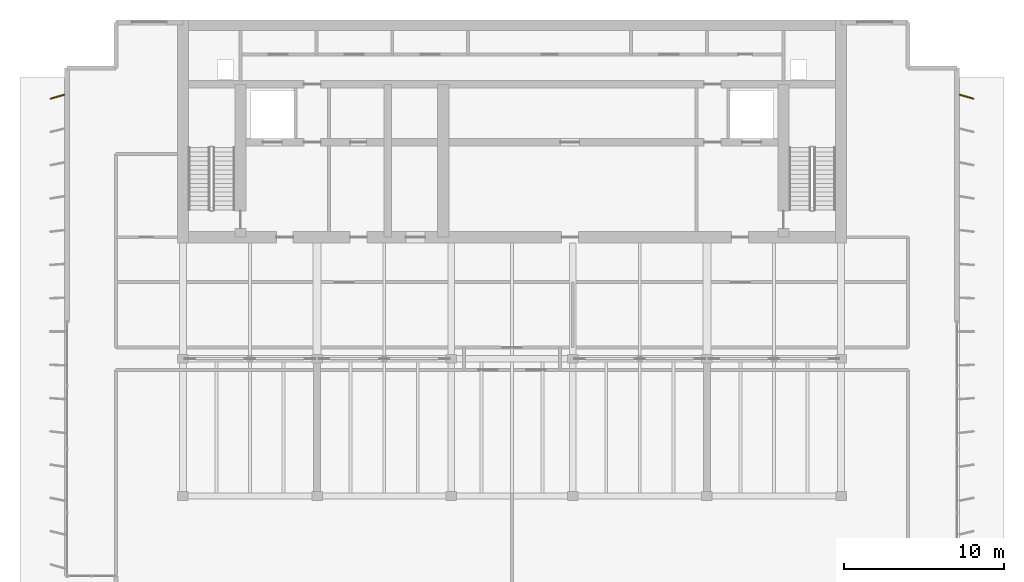
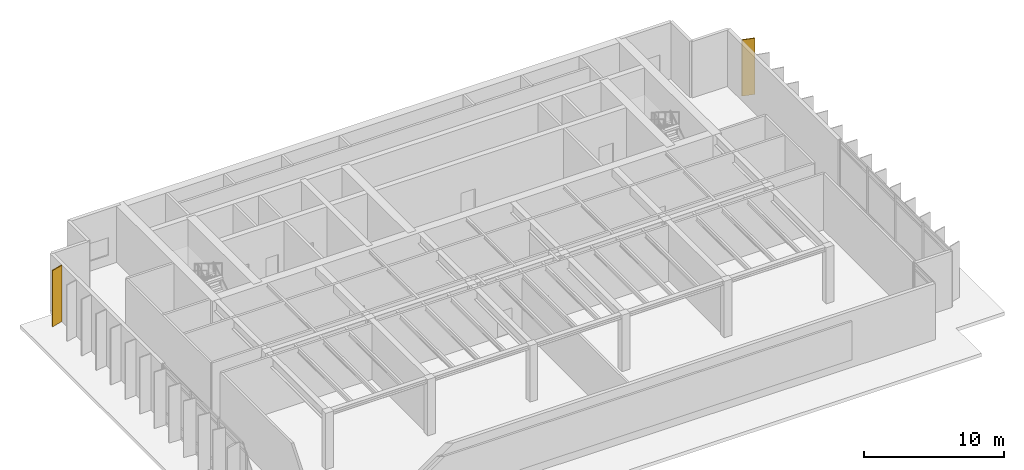
# One storey, part 12 of 12: 2 shading devices.
"""IFC4 building model written with IfcOpenShell, lengths in metres."""

from ifc_helpers import new_model, si_unit, direction, frame, origin, origin_2d, place, context, subcontext, project, spatial, rectangle, extrude, material, material_profile, profile_set, type_object, element, save


model = new_model("IFC4")

# Units and contexts
model_context = context("Model", 3, precision=1e-05, world=origin(), true_north=direction((0.0, 1.0)))
body_context = subcontext(model_context, "Body", "Model", "MODEL_VIEW")
ifc_project = project(units=[si_unit("LENGTHUNIT", "METRE"), si_unit("AREAUNIT", "SQUARE_METRE"), si_unit("VOLUMEUNIT", "CUBIC_METRE"), si_unit("PLANEANGLEUNIT", "RADIAN"), si_unit("MASSUNIT", "GRAM", prefix="KILO")], contexts=[model_context])

# Site, building, storey
site_placement = place(None, origin())
site = spatial("IfcSite", under=ifc_project, at=site_placement, CompositionType="ELEMENT")
building_placement = place(site_placement, origin())
building = spatial("IfcBuilding", under=site, at=building_placement, Name="Caelmar Bay Residences", CompositionType="ELEMENT")
storey_placement = place(building_placement, frame((0.0, 0.0, 274.199951171875)))
storey = spatial("IfcBuildingStorey", under=building, at=storey_placement, Name="L77", CompositionType="ELEMENT", Elevation=274.199951171875)

# Shading devices
ifc_material = material(Name="Anodised architectural bronze aluminium 6063-T6", Category="aluminium")
ifc_material_profile = material_profile(ifc_material, rectangle(XDim=0.074951171875, YDim=0.949951171875, at=origin_2d()), Name="BRONZE-FIN-75X950")
ifc_profile_set = profile_set([ifc_material_profile], Name="Anodised architectural bronze aluminium 6063-T6")
shading_device_type = type_object("IfcShadingDeviceType", Name="SHD-FIN-950", PredefinedType="USERDEFINED", material=ifc_profile_set)
for number, where, z_axis, x_axis, name in (
    (1, (10.449951171875, 45.800048828125, 0.0), (0.0, 0.0, 1.0), (-0.275637355817, 0.961261695938, 0.0), "L77 West Bronze Solar Fin 15"),
    (2, (67.35009765625, 45.800048828125, 0.0), (0.0, 0.0, 1.0), (0.275637355817, 0.961261695938, 0.0), "L77 East Bronze Solar Fin 15"),
):
    element("IfcShadingDevice", number, at=place(storey_placement, frame(where, z_axis=z_axis, x_axis=x_axis)), inside=storey, type_object=shading_device_type, Name=name, ObjectType="FIN", PredefinedType="USERDEFINED", context=body_context, shape_type="SweptSolid", body=[
        extrude(rectangle(XDim=0.074951171875, YDim=0.949951171875, at=origin_2d()), origin(), (0.0, 0.0, 1.0), 4.900146484375),
    ])

save(model, "model.ifc")
